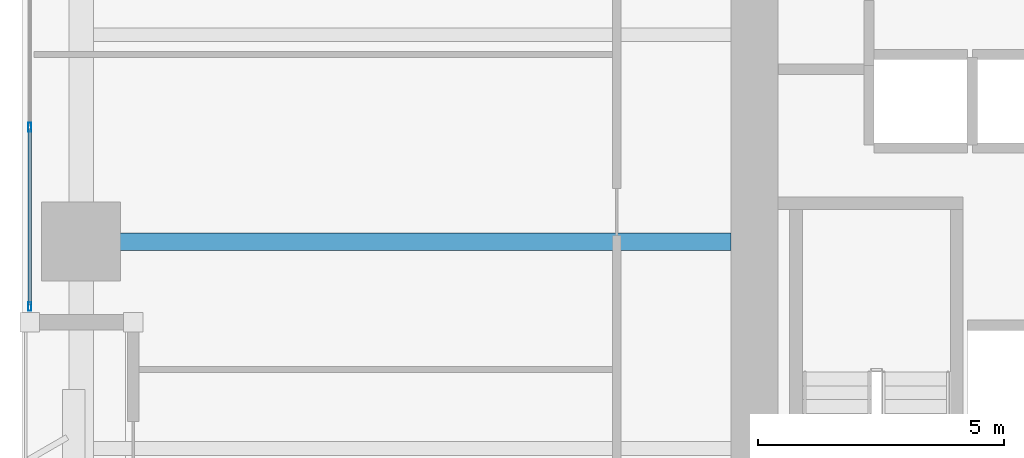
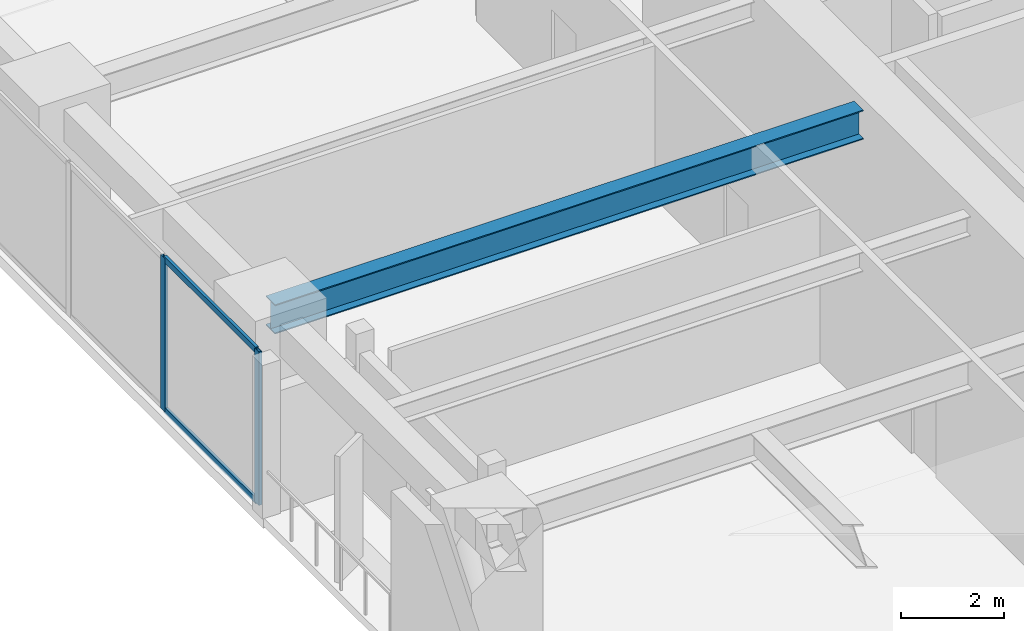
# One storey, part 2 of 28: 4 members, 1 beam, 1 element without a shape of its own.
"""IFC4 building model written with IfcOpenShell, lengths in metres."""

from ifc_helpers import new_model, si_unit, direction, frame, origin, origin_2d, place, context, subcontext, project, spatial, hollow_rectangle, i_section, extrude, material, layer, layer_set, material_profile, profile_set, type_object, element, aggregate, save


model = new_model("IFC4")

# Units and contexts
model_context = context("Model", 3, precision=1e-05, world=origin(), true_north=direction((0.0, 1.0)))
body_context = subcontext(model_context, "Body", "Model", "MODEL_VIEW")
ifc_project = project(units=[si_unit("LENGTHUNIT", "METRE"), si_unit("AREAUNIT", "SQUARE_METRE"), si_unit("VOLUMEUNIT", "CUBIC_METRE"), si_unit("PLANEANGLEUNIT", "RADIAN"), si_unit("MASSUNIT", "GRAM", prefix="KILO")], contexts=[model_context])

# Site, building, storey
site_placement = place(None, origin())
site = spatial("IfcSite", under=ifc_project, at=site_placement, CompositionType="ELEMENT")
building_placement = place(site_placement, origin())
building = spatial("IfcBuilding", under=site, at=building_placement, Name="Kiyonajd Concourse Tower", CompositionType="ELEMENT")
storey_placement = place(building_placement, frame((0.0, 0.0, 37.199951171875)))
storey = spatial("IfcBuildingStorey", under=building, at=storey_placement, Name="L10", CompositionType="ELEMENT", Elevation=37.199951171875)

# Beam
ifc_material_1 = material(Name="Steel ASTM A992 Grade 50", Category="steel")
ifc_material_profile_1 = material_profile(ifc_material_1, i_section(OverallWidth=0.35498046875, OverallDepth=0.695068359375, WebThickness=0.015380859375, FlangeThickness=0.02490234375, at=origin_2d()), Name="W690X217")
ifc_profile_set_1 = profile_set([ifc_material_profile_1], Name="Steel ASTM A992 Grade 50")
beam_type = type_object("IfcBeamType", Name="BM-TWR-690", PredefinedType="BEAM", material=ifc_profile_set_1)
beam_placement = place(storey_placement, frame((19.199951171875, 36.0, 3.29248046875), z_axis=(1.0, 0.0, 0.0), x_axis=(0.0, 1.0, 0.0)))
element("IfcBeam", 1, at=beam_placement, inside=storey, type_object=beam_type, Name="L10 West Lease Girder", PredefinedType="BEAM", context=body_context, shape_type="SweptSolid", body=[
    extrude(i_section(OverallWidth=0.35498046875, OverallDepth=0.695068359375, WebThickness=0.015380859375, FlangeThickness=0.02490234375, at=origin_2d()), origin(), (0.0, 0.0, 1.0), 13.199951171875),
])

# Curtain wall, members
ifc_material_2 = material(Name="Thermally Broken Anodised Aluminium", Category="aluminium")
ifc_layer = layer(ifc_material_2, 0.179931640625)
ifc_layer_set = layer_set([ifc_layer], Name="Thermally Broken Anodised Aluminium")
curtain_wall_type = type_object("IfcCurtainWallType", Name="CW-SYS-02", PredefinedType="NOTDEFINED", material=ifc_layer_set)
curtain_wall_placement = place(storey_placement, origin())
curtain_wall = element("IfcCurtainWall", 2, at=curtain_wall_placement, inside=storey, type_object=curtain_wall_type, Name="L10 Unitised Curtain Wall CW2", PredefinedType="NOTDEFINED")
ifc_material_profile_2 = material_profile(ifc_material_2, hollow_rectangle(XDim=0.06494140625, YDim=0.179931640625, WallThickness=0.00390625, at=origin_2d()), Name="MULL-65x180")
ifc_profile_set_2 = profile_set([ifc_material_profile_2], Name="Thermally Broken Anodised Aluminium")
member_type_1 = type_object("IfcMemberType", Name="MB-CW-MULL1", PredefinedType="MULLION", material=ifc_profile_set_2)
member_1_placement = place(storey_placement, frame((18.159912109375, 34.6826171875, 0.0), z_axis=(0.0, 0.0, 1.0), x_axis=(-1.0, 0.0, 0.0)))
member_1 = element("IfcMember", 3, at=member_1_placement, type_object=member_type_1, Name="CW2 mullion 1", PredefinedType="MULLION", context=body_context, shape_type="SweptSolid", body=[
    extrude(hollow_rectangle(XDim=0.06494140625, YDim=0.179931640625, WallThickness=0.00390625, at=origin_2d()), origin(), (0.0, 0.0, 1.0), 3.64013671875),
])
member_2_placement = place(storey_placement, frame((18.159912109375, 38.3232421875, 0.0), z_axis=(0.0, 0.0, 1.0), x_axis=(-1.0, 0.0, 0.0)))
member_2 = element("IfcMember", 4, at=member_2_placement, type_object=member_type_1, Name="CW2 mullion 2", PredefinedType="MULLION", context=body_context, shape_type="SweptSolid", body=[
    extrude(hollow_rectangle(XDim=0.06494140625, YDim=0.179931640625, WallThickness=0.00390625, at=origin_2d()), origin(), (0.0, 0.0, 1.0), 3.64013671875),
])
ifc_material_profile_3 = material_profile(ifc_material_2, hollow_rectangle(XDim=0.06494140625, YDim=0.139892578125, WallThickness=0.00390625, at=origin_2d()), Name="TRAN-65x140")
ifc_profile_set_3 = profile_set([ifc_material_profile_3], Name="Thermally Broken Anodised Aluminium")
member_type_2 = type_object("IfcMemberType", Name="MB-CW-TRAN1", PredefinedType="USERDEFINED", material=ifc_profile_set_3)
member_3_placement = place(storey_placement, frame((18.159912109375, 34.715087890625, 0.032470703125), z_axis=(0.0, 1.0, 0.0), x_axis=(-1.0, 0.0, 0.0)))
member_3 = element("IfcMember", 5, at=member_3_placement, type_object=member_type_2, Name="CW2 transom 1.1", ObjectType="TRANSOM", PredefinedType="USERDEFINED", context=body_context, shape_type="SweptSolid", body=[
    extrude(hollow_rectangle(XDim=0.06494140625, YDim=0.139892578125, WallThickness=0.00390625, at=origin_2d()), origin(), (0.0, 0.0, 1.0), 3.57568359375),
])
member_4_placement = place(storey_placement, frame((18.159912109375, 34.715087890625, 3.607666015625), z_axis=(0.0, 1.0, 0.0), x_axis=(-1.0, 0.0, 0.0)))
member_4 = element("IfcMember", 6, at=member_4_placement, type_object=member_type_2, Name="CW2 transom 1.2", ObjectType="TRANSOM", PredefinedType="USERDEFINED", context=body_context, shape_type="SweptSolid", body=[
    extrude(hollow_rectangle(XDim=0.06494140625, YDim=0.139892578125, WallThickness=0.00390625, at=origin_2d()), origin(), (0.0, 0.0, 1.0), 3.57568359375),
])
aggregate(curtain_wall, [member_1, member_2, member_3, member_4])

save(model, "model.ifc")
